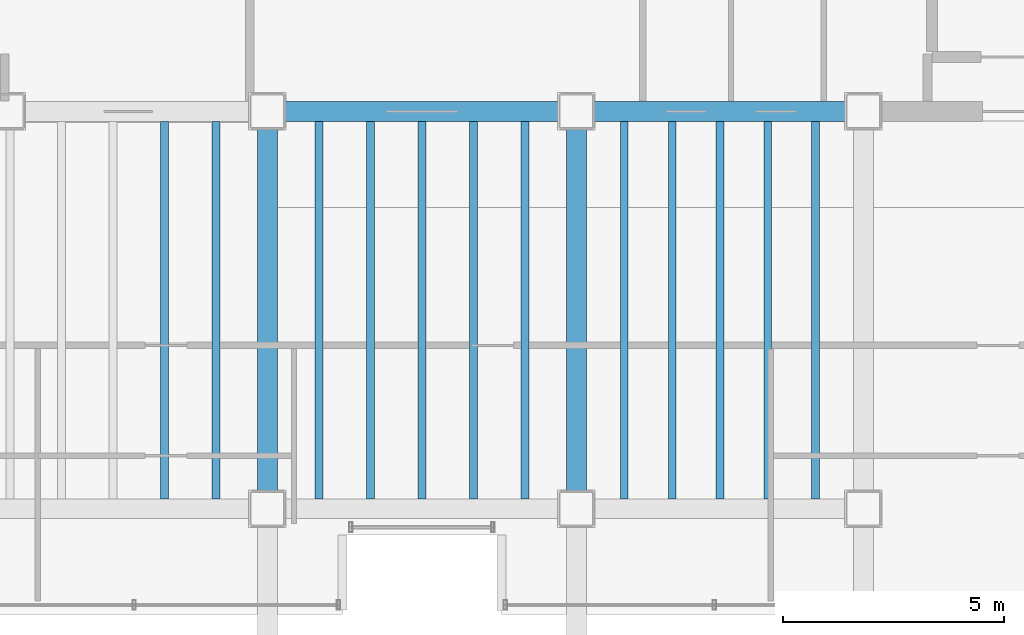
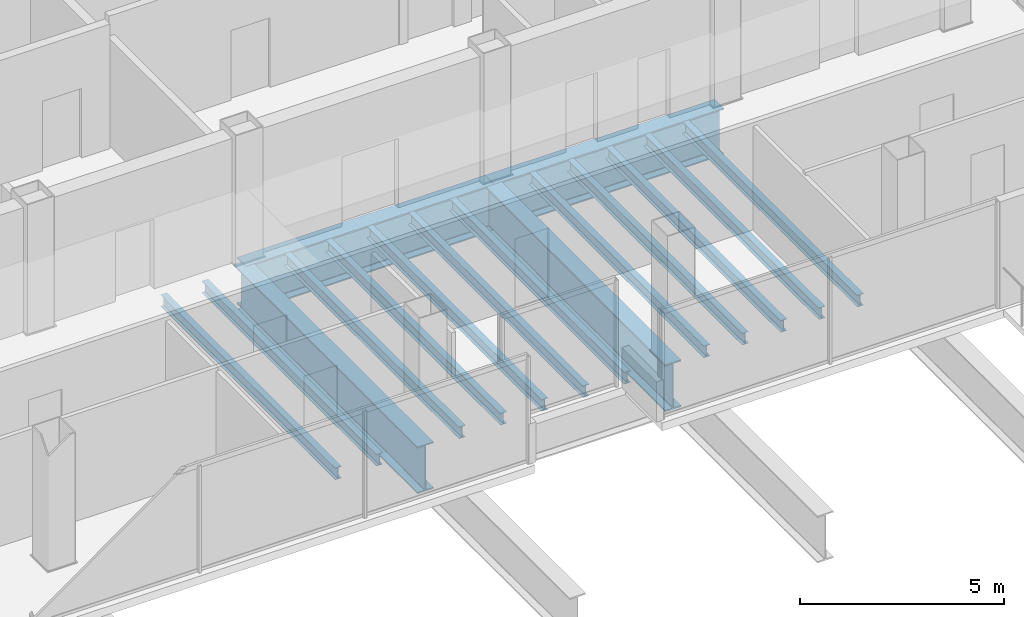
# One storey, part 7 of 19: 16 beams.
"""IFC4 building model written with IfcOpenShell, lengths in metres."""

from ifc_helpers import new_model, si_unit, direction, frame, origin, origin_2d, place, context, subcontext, project, spatial, i_section, extrude, material, material_profile, profile_set, type_object, element, save


model = new_model("IFC4")

# Units and contexts
model_context = context("Model", 3, precision=1e-05, world=origin(), true_north=direction((0.0, 1.0)))
body_context = subcontext(model_context, "Body", "Model", "MODEL_VIEW")
ifc_project = project(units=[si_unit("LENGTHUNIT", "METRE"), si_unit("AREAUNIT", "SQUARE_METRE"), si_unit("VOLUMEUNIT", "CUBIC_METRE"), si_unit("PLANEANGLEUNIT", "RADIAN"), si_unit("MASSUNIT", "GRAM", prefix="KILO")], contexts=[model_context])

# Site, building, storey
site_placement = place(None, origin())
site = spatial("IfcSite", under=ifc_project, at=site_placement, CompositionType="ELEMENT")
building_placement = place(site_placement, origin())
building = spatial("IfcBuilding", under=site, at=building_placement, Name="Noeulbin Bourse Tower", CompositionType="ELEMENT")
storey_placement = place(building_placement, frame((0.0, 0.0, 257.89990234375)))
storey = spatial("IfcBuildingStorey", under=building, at=storey_placement, Name="L64", CompositionType="ELEMENT", Elevation=257.89990234375)

# Beams
ifc_material_1 = material(Name="Steel S355", Category="steel")
ifc_material_profile_1 = material_profile(ifc_material_1, i_section(OverallWidth=0.175048828125, OverallDepth=0.35009765625, WebThickness=0.007080078125, FlangeThickness=0.010986328125, FilletRadius=0.013916015625, at=origin_2d()), Name="H-350x175x7x11", Category="LoadBearing")
ifc_profile_set_1 = profile_set([ifc_material_profile_1], Name="Steel S355")
beam_type_1 = type_object("IfcBeamType", Name="BM-JST-350", PredefinedType="JOIST", material=ifc_profile_set_1)
for number, where, z_axis, x_axis, name in (
    (1, (21.666748046875, 20.22509765625, -0.414794921875), (0.0, 1.0, 0.0), (-1.0, 0.0, 0.0), "Tower Composite Joist L64-13"),
    (2, (22.833251953125, 20.22509765625, -0.414794921875), (0.0, 1.0, 0.0), (-1.0, 0.0, 0.0), "Tower Composite Joist L64-15"),
    (3, (25.166748046875, 20.22509765625, -0.414794921875), (0.0, 1.0, 0.0), (-1.0, 0.0, 0.0), "Tower Composite Joist L64-17"),
    (4, (26.333251953125, 20.22509765625, -0.414794921875), (0.0, 1.0, 0.0), (-1.0, 0.0, 0.0), "Tower Composite Joist L64-19"),
    (5, (27.5, 20.22509765625, -0.414794921875), (0.0, 1.0, 0.0), (-1.0, 0.0, 0.0), "Tower Composite Joist L64-21"),
    (6, (28.666748046875, 20.22509765625, -0.414794921875), (0.0, 1.0, 0.0), (-1.0, 0.0, 0.0), "Tower Composite Joist L64-23"),
    (7, (29.833251953125, 20.22509765625, -0.414794921875), (0.0, 1.0, 0.0), (-1.0, 0.0, 0.0), "Tower Composite Joist L64-25"),
    (8, (32.083251953125, 20.22509765625, -0.414794921875), (0.0, 1.0, 0.0), (-1.0, 0.0, 0.0), "Tower Composite Joist L64-27"),
    (9, (33.166748046875, 20.22509765625, -0.414794921875), (0.0, 1.0, 0.0), (-1.0, 0.0, 0.0), "Tower Composite Joist L64-29"),
    (10, (34.25, 20.22509765625, -0.414794921875), (0.0, 1.0, 0.0), (-1.0, 0.0, 0.0), "Tower Composite Joist L64-31"),
    (11, (35.333251953125, 20.22509765625, -0.414794921875), (0.0, 1.0, 0.0), (-1.0, 0.0, 0.0), "Tower Composite Joist L64-33"),
    (12, (36.416748046875, 20.22509765625, -0.414794921875), (0.0, 1.0, 0.0), (-1.0, 0.0, 0.0), "Tower Composite Joist L64-35"),
):
    element("IfcBeam", number, at=place(storey_placement, frame(where, z_axis=z_axis, x_axis=x_axis)), inside=storey, type_object=beam_type_1, Name=name, PredefinedType="JOIST", context=body_context, shape_type="SweptSolid", body=[
        extrude(i_section(OverallWidth=0.175048828125, OverallDepth=0.35009765625, WebThickness=0.007080078125, FlangeThickness=0.010986328125, FilletRadius=0.013916015625, at=origin_2d()), origin(), (0.0, 0.0, 1.0), 8.5498046875),
    ])
ifc_material_2 = material(Name="Steel S460", Category="steel")
ifc_material_profile_2 = material_profile(ifc_material_2, i_section(OverallWidth=0.449951171875, OverallDepth=1.39990234375, WebThickness=0.02392578125, FlangeThickness=0.0400390625, FilletRadius=0.02392578125, at=origin_2d()), Name="PG-1400x450x24x40", Category="LoadBearing")
ifc_profile_set_2 = profile_set([ifc_material_profile_2], Name="Steel S460")
beam_type_2 = type_object("IfcBeamType", Name="BM-TRF-1400", PredefinedType="USERDEFINED", material=ifc_profile_set_2)
beam_1_placement = place(storey_placement, frame((24.0, 29.0, -0.93994140625), z_axis=(1.0, 0.0, 0.0), x_axis=(0.0, 1.0, 0.0)))
element("IfcBeam", 13, at=beam_1_placement, inside=storey, type_object=beam_type_2, Name="Tower Primary Girder EW L64-2.3", ObjectType="GIRDER", PredefinedType="USERDEFINED", context=body_context, shape_type="SweptSolid", body=[
    extrude(i_section(OverallWidth=0.449951171875, OverallDepth=1.39990234375, WebThickness=0.02392578125, FlangeThickness=0.0400390625, FilletRadius=0.02392578125, at=origin_2d()), origin(), (0.0, 0.0, 1.0), 7.0),
])
beam_2_placement = place(storey_placement, frame((31.0, 29.0, -0.93994140625), z_axis=(1.0, 0.0, 0.0), x_axis=(0.0, 1.0, 0.0)))
element("IfcBeam", 14, at=beam_2_placement, inside=storey, type_object=beam_type_2, Name="Tower Primary Girder EW L64-2.4", ObjectType="GIRDER", PredefinedType="USERDEFINED", context=body_context, shape_type="SweptSolid", body=[
    extrude(i_section(OverallWidth=0.449951171875, OverallDepth=1.39990234375, WebThickness=0.02392578125, FlangeThickness=0.0400390625, FilletRadius=0.02392578125, at=origin_2d()), origin(), (0.0, 0.0, 1.0), 6.5),
])
for number, where, z_axis, x_axis, name in (
    (15, (24.0, 20.0, -0.93994140625), (0.0, 1.0, 0.0), (-1.0, 0.0, 0.0), "Tower Primary Girder NS L64-2.2"),
    (16, (31.0, 20.0, -0.93994140625), (0.0, 1.0, 0.0), (-1.0, 0.0, 0.0), "Tower Primary Girder NS L64-3.2"),
):
    element("IfcBeam", number, at=place(storey_placement, frame(where, z_axis=z_axis, x_axis=x_axis)), inside=storey, type_object=beam_type_2, Name=name, ObjectType="GIRDER", PredefinedType="USERDEFINED", context=body_context, shape_type="SweptSolid", body=[
        extrude(i_section(OverallWidth=0.449951171875, OverallDepth=1.39990234375, WebThickness=0.02392578125, FlangeThickness=0.0400390625, FilletRadius=0.02392578125, at=origin_2d()), origin(), (0.0, 0.0, 1.0), 9.0),
    ])

save(model, "model.ifc")
